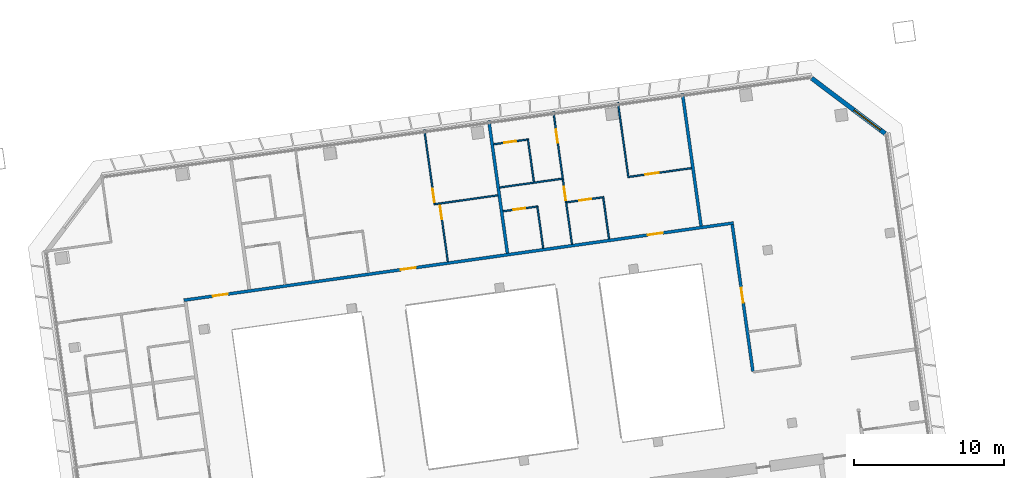
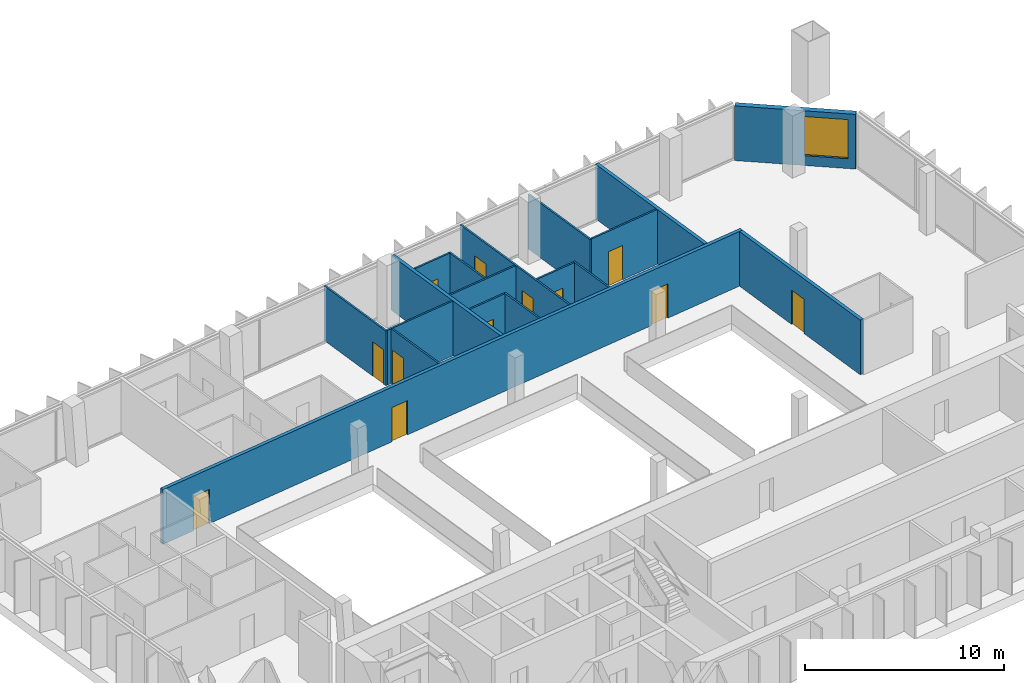
# One storey, part 20 of 23: 18 walls, 12 doors, 1 window, 13 openings.
"""IFC4 building model written with IfcOpenShell, lengths in metres."""

from ifc_helpers import new_model, si_unit, direction, frame, frame_2d, origin, place, context, subcontext, project, spatial, rectangle, extrude, material, layer, layer_set, type_object, element, fill, save


model = new_model("IFC4")

# Units and contexts
model_context = context("Model", 3, precision=1e-05, world=origin(), true_north=direction((0.0, 1.0)))
body_context = subcontext(model_context, "Body", "Model", "MODEL_VIEW")
ifc_project = project(units=[si_unit("LENGTHUNIT", "METRE"), si_unit("AREAUNIT", "SQUARE_METRE"), si_unit("VOLUMEUNIT", "CUBIC_METRE"), si_unit("PLANEANGLEUNIT", "RADIAN"), si_unit("MASSUNIT", "GRAM", prefix="KILO")], contexts=[model_context])

# Site, building, storey
site_placement = place(None, origin())
site = spatial("IfcSite", under=ifc_project, at=site_placement, CompositionType="ELEMENT")
building_placement = place(site_placement, origin())
building = spatial("IfcBuilding", under=site, at=building_placement, Name="Mirante Cascada Hotel Towers", CompositionType="ELEMENT")
storey_placement = place(building_placement, frame((0.0, 0.0, 199.2)))
storey = spatial("IfcBuildingStorey", under=building, at=storey_placement, Name="L47", CompositionType="ELEMENT", Elevation=199.2)

# Wall, openings, doors
ifc_material_1 = material(Name="Fire-rated plasterboard on metal studs")
ifc_layer_1 = layer(ifc_material_1, 0.2)
ifc_layer_set_1 = layer_set([ifc_layer_1], Name="Compartment wall 200 EI 120")
wall_type_1 = type_object("IfcWallType", Name="Compartment wall 200 EI 120", PredefinedType="PARTITIONING", material=ifc_layer_set_1)
wall_1_placement = place(storey_placement, frame((34.6489, 8.7516, 0.0), z_axis=(0.0, 0.0, 1.0), x_axis=(0.990268, 0.1391734, 0.0)))
wall_1 = element("IfcWall", 1, at=wall_1_placement, inside=storey, type_object=wall_type_1, Name="Wall 2-L47-18", PredefinedType="PARTITIONING", context=body_context, shape_type="SweptSolid", body=[
    extrude(rectangle(XDim=36.9, YDim=0.2, at=frame_2d((18.45, 0.0))), origin(), (0.0, 0.0, 1.0), 3.35),
])
opening_1_placement = place(wall_1_placement, frame((1.9538, 0.0, 0.0)))
opening_1 = element("IfcOpeningElement", 2, at=opening_1_placement, cuts=wall_1, Name="Opening D2-L47-06", PredefinedType="OPENING", context=body_context, shape_type="SweptSolid", body=[
    extrude(rectangle(XDim=1.0, YDim=2.1, at=frame_2d((0.5, 1.05))), frame((0.0, 0.1, 0.0), z_axis=(0.0, -1.0, 0.0), x_axis=(1.0, 0.0, 0.0)), (0.0, 0.0, 1.0), 0.2),
])
opening_2_placement = place(wall_1_placement, frame((14.5726, 0.0, 0.0)))
opening_2 = element("IfcOpeningElement", 3, at=opening_2_placement, cuts=wall_1, Name="Opening D2-L47-07", PredefinedType="OPENING", context=body_context, shape_type="SweptSolid", body=[
    extrude(rectangle(XDim=1.0, YDim=2.1, at=frame_2d((0.5, 1.05))), frame((0.0, 0.1, 0.0), z_axis=(0.0, -1.0, 0.0), x_axis=(1.0, 0.0, 0.0)), (0.0, 0.0, 1.0), 0.2),
])
opening_3_placement = place(wall_1_placement, frame((31.1459, 0.0, 0.0)))
opening_3 = element("IfcOpeningElement", 4, at=opening_3_placement, cuts=wall_1, Name="Opening D2-L47-08", PredefinedType="OPENING", context=body_context, shape_type="SweptSolid", body=[
    extrude(rectangle(XDim=1.0, YDim=2.1, at=frame_2d((0.5, 1.05))), frame((0.0, 0.1, 0.0), z_axis=(0.0, -1.0, 0.0), x_axis=(1.0, 0.0, 0.0)), (0.0, 0.0, 1.0), 0.2),
])
ifc_material_2 = material(Name="Fire-rated timber door leaf", Category="wood")
door_type_1 = type_object("IfcDoorType", Name="Entrance door DG1 1000x2100 EI 60", OperationType="SINGLE_SWING_LEFT", PredefinedType="DOOR", material=ifc_material_2)
door_1_placement = place(opening_1_placement, origin())
door_1 = element("IfcDoor", 5, at=door_1_placement, inside=storey, type_object=door_type_1, Name="Door D2-L47-06", OperationType="SINGLE_SWING_LEFT", OverallHeight=2.1, OverallWidth=1.0, PredefinedType="DOOR", context=body_context, shape_type="SweptSolid", body=[
    extrude(rectangle(XDim=1.0, YDim=2.1, at=frame_2d((0.5, 1.05))), frame((0.0, 0.025, 0.0), z_axis=(0.0, -1.0, 0.0), x_axis=(1.0, 0.0, 0.0)), (0.0, 0.0, 1.0), 0.05),
])
fill(opening_1, door_1)
door_2_placement = place(opening_2_placement, origin())
door_2 = element("IfcDoor", 6, at=door_2_placement, inside=storey, type_object=door_type_1, Name="Door D2-L47-07", OperationType="SINGLE_SWING_LEFT", OverallHeight=2.1, OverallWidth=1.0, PredefinedType="DOOR", context=body_context, shape_type="SweptSolid", body=[
    extrude(rectangle(XDim=1.0, YDim=2.1, at=frame_2d((0.5, 1.05))), frame((0.0, 0.025, 0.0), z_axis=(0.0, -1.0, 0.0), x_axis=(1.0, 0.0, 0.0)), (0.0, 0.0, 1.0), 0.05),
])
fill(opening_2, door_2)
door_3_placement = place(opening_3_placement, origin())
door_3 = element("IfcDoor", 7, at=door_3_placement, inside=storey, type_object=door_type_1, Name="Door D2-L47-08", OperationType="SINGLE_SWING_LEFT", OverallHeight=2.1, OverallWidth=1.0, PredefinedType="DOOR", context=body_context, shape_type="SweptSolid", body=[
    extrude(rectangle(XDim=1.0, YDim=2.1, at=frame_2d((0.5, 1.05))), frame((0.0, 0.025, 0.0), z_axis=(0.0, -1.0, 0.0), x_axis=(1.0, 0.0, 0.0)), (0.0, 0.0, 1.0), 0.05),
])
fill(opening_3, door_3)

# Walls
for number, where, z_axis, x_axis, name in (
    (8, (56.1609, 11.8759, 0.0), (0.0, 0.0, 1.0), (-0.1391684, 0.9902687, 0.0), "Wall 2-L47-46"),
    (9, (69.0319, 13.6848, 0.0), (0.0, 0.0, 1.0), (-0.1391684, 0.9902687, 0.0), "Wall 2-L47-52"),
):
    element("IfcWall", number, at=place(storey_placement, frame(where, z_axis=z_axis, x_axis=x_axis)), inside=storey, type_object=wall_type_1, Name=name, PredefinedType="PARTITIONING", context=body_context, shape_type="SweptSolid", body=[
        extrude(rectangle(XDim=8.9, YDim=0.2, at=frame_2d((4.45, 0.0))), origin(), (0.0, 0.0, 1.0), 3.35),
    ])

# Wall, opening, door
wall_2_placement = place(storey_placement, frame((71.1047, 13.7742, 0.0), z_axis=(0.0, 0.0, 1.0), x_axis=(0.1391668, -0.990269, 0.0)))
wall_2 = element("IfcWall", 10, at=wall_2_placement, inside=storey, type_object=wall_type_1, Name="Wall 2-L47-53", PredefinedType="PARTITIONING", context=body_context, shape_type="SweptSolid", body=[
    extrude(rectangle(XDim=9.8501, YDim=0.2, at=frame_2d((4.925, 0.0))), origin(), (0.0, 0.0, 1.0), 3.35),
])
opening_4_placement = place(wall_2_placement, frame((4.25, 0.0, 0.0)))
opening_4 = element("IfcOpeningElement", 11, at=opening_4_placement, cuts=wall_2, Name="Opening D2-L47-31", PredefinedType="OPENING", context=body_context, shape_type="SweptSolid", body=[
    extrude(rectangle(XDim=1.0, YDim=2.1, at=frame_2d((0.5, 1.05))), frame((0.0, 0.1, 0.0), z_axis=(0.0, -1.0, 0.0), x_axis=(1.0, 0.0, 0.0)), (0.0, 0.0, 1.0), 0.2),
])
door_4_placement = place(opening_4_placement, origin())
door_4 = element("IfcDoor", 12, at=door_4_placement, inside=storey, type_object=door_type_1, Name="Door D2-L47-31", OperationType="SINGLE_SWING_LEFT", OverallHeight=2.1, OverallWidth=1.0, PredefinedType="DOOR", context=body_context, shape_type="SweptSolid", body=[
    extrude(rectangle(XDim=1.0, YDim=2.1, at=frame_2d((0.5, 1.05))), frame((0.0, 0.025, 0.0), z_axis=(0.0, -1.0, 0.0), x_axis=(1.0, 0.0, 0.0)), (0.0, 0.0, 1.0), 0.05),
])
fill(opening_4, door_4)

ifc_material_3 = material(Name="Plasterboard on metal studs")
ifc_layer_2 = layer(ifc_material_3, 0.1)
ifc_layer_set_2 = layer_set([ifc_layer_2], Name="Partition 100")
wall_type_2 = type_object("IfcWallType", Name="Partition 100", PredefinedType="PARTITIONING", material=ifc_layer_set_2)
wall_3_placement = place(storey_placement, frame((58.0984, 14.9757, 0.0), z_axis=(0.0, 0.0, 1.0), x_axis=(-0.9902705, -0.1391561, 0.0)))
wall_3 = element("IfcWall", 13, at=wall_3_placement, inside=storey, type_object=wall_type_2, Name="Wall 2-L47-21", PredefinedType="PARTITIONING", context=body_context, shape_type="SweptSolid", body=[
    extrude(rectangle(XDim=2.25, YDim=0.1, at=frame_2d((1.125, 0.0))), origin(), (0.0, 0.0, 1.0), 3.35),
])
opening_5_placement = place(wall_3_placement, frame((0.75, 0.0, 0.0)))
opening_5 = element("IfcOpeningElement", 14, at=opening_5_placement, cuts=wall_3, Name="Opening D2-L47-11", PredefinedType="OPENING", context=body_context, shape_type="SweptSolid", body=[
    extrude(rectangle(XDim=0.8, YDim=2.1, at=frame_2d((0.4, 1.05))), frame((0.0, 0.05, 0.0), z_axis=(0.0, -1.0, 0.0), x_axis=(1.0, 0.0, 0.0)), (0.0, 0.0, 1.0), 0.1),
])
ifc_material_4 = material(Name="Timber door leaf", Category="wood")
door_type_2 = type_object("IfcDoorType", Name="Bathroom door DG4 800x2100", OperationType="SINGLE_SWING_LEFT", PredefinedType="DOOR", material=ifc_material_4)
door_5_placement = place(opening_5_placement, origin())
door_5 = element("IfcDoor", 15, at=door_5_placement, inside=storey, type_object=door_type_2, Name="Door D2-L47-11", OperationType="SINGLE_SWING_LEFT", OverallHeight=2.1, OverallWidth=0.8, PredefinedType="DOOR", context=body_context, shape_type="SweptSolid", body=[
    extrude(rectangle(XDim=0.8, YDim=2.1, at=frame_2d((0.4, 1.05))), frame((0.0, 0.025, 0.0), z_axis=(0.0, -1.0, 0.0), x_axis=(1.0, 0.0, 0.0)), (0.0, 0.0, 1.0), 0.05),
])
fill(opening_5, door_5)

wall_4_placement = place(storey_placement, frame((60.1111, 15.2586, 0.0), z_axis=(0.0, 0.0, 1.0), x_axis=(0.9902662, 0.1391861, 0.0)))
wall_4 = element("IfcWall", 16, at=wall_4_placement, inside=storey, type_object=wall_type_2, Name="Wall 2-L47-22", PredefinedType="PARTITIONING", context=body_context, shape_type="SweptSolid", body=[
    extrude(rectangle(XDim=2.3867, YDim=0.1, at=frame_2d((1.1934, 0.0))), origin(), (0.0, 0.0, 1.0), 3.35),
])
opening_6_placement = place(wall_4_placement, frame((0.8367, 0.0, 0.0)))
opening_6 = element("IfcOpeningElement", 17, at=opening_6_placement, cuts=wall_4, Name="Opening D2-L47-12", PredefinedType="OPENING", context=body_context, shape_type="SweptSolid", body=[
    extrude(rectangle(XDim=0.8, YDim=2.1, at=frame_2d((0.4, 1.05))), frame((0.0, 0.05, 0.0), z_axis=(0.0, -1.0, 0.0), x_axis=(1.0, 0.0, 0.0)), (0.0, 0.0, 1.0), 0.1),
])
door_6_placement = place(opening_6_placement, origin())
door_6 = element("IfcDoor", 18, at=door_6_placement, inside=storey, type_object=door_type_2, Name="Door D2-L47-12", OperationType="SINGLE_SWING_LEFT", OverallHeight=2.1, OverallWidth=0.8, PredefinedType="DOOR", context=body_context, shape_type="SweptSolid", body=[
    extrude(rectangle(XDim=0.8, YDim=2.1, at=frame_2d((0.4, 1.05))), frame((0.0, 0.025, 0.0), z_axis=(0.0, -1.0, 0.0), x_axis=(1.0, 0.0, 0.0)), (0.0, 0.0, 1.0), 0.05),
])
fill(opening_6, door_6)

# Wall
wall_5_placement = place(storey_placement, frame((55.5191, 15.7241, 0.0), z_axis=(0.0, 0.0, 1.0), x_axis=(-0.9902673, -0.1391783, 0.0)))
element("IfcWall", 19, at=wall_5_placement, inside=storey, type_object=wall_type_2, Name="Wall 2-L47-23", PredefinedType="PARTITIONING", context=body_context, shape_type="SweptSolid", body=[
    extrude(rectangle(XDim=4.1824, YDim=0.1, at=frame_2d((2.0912, 0.0))), origin(), (0.0, 0.0, 1.0), 3.35),
])

# Wall, opening, door
wall_6_placement = place(storey_placement, frame((64.2484, 16.9509, 0.0), z_axis=(0.0, 0.0, 1.0), x_axis=(0.9902673, 0.1391783, 0.0)))
wall_6 = element("IfcWall", 20, at=wall_6_placement, inside=storey, type_object=wall_type_2, Name="Wall 2-L47-24", PredefinedType="PARTITIONING", context=body_context, shape_type="SweptSolid", body=[
    extrude(rectangle(XDim=4.1824, YDim=0.1, at=frame_2d((2.0912, 0.0))), origin(), (0.0, 0.0, 1.0), 3.35),
])
opening_7_placement = place(wall_6_placement, frame((1.0825, 0.0, 0.0)))
opening_7 = element("IfcOpeningElement", 21, at=opening_7_placement, cuts=wall_6, Name="Opening D2-L47-13", PredefinedType="OPENING", context=body_context, shape_type="SweptSolid", body=[
    extrude(rectangle(XDim=0.9, YDim=2.1, at=frame_2d((0.45, 1.05))), frame((0.0, 0.05, 0.0), z_axis=(0.0, -1.0, 0.0), x_axis=(1.0, 0.0, 0.0)), (0.0, 0.0, 1.0), 0.1),
])
ifc_material_5 = material(Name="Timber door leaf", Category="wood")
door_type_3 = type_object("IfcDoorType", Name="Room door DG3 900x2100", OperationType="SINGLE_SWING_LEFT", PredefinedType="DOOR", material=ifc_material_5)
door_7_placement = place(opening_7_placement, origin())
door_7 = element("IfcDoor", 22, at=door_7_placement, inside=storey, type_object=door_type_3, Name="Door D2-L47-13", OperationType="SINGLE_SWING_LEFT", OverallHeight=2.1, OverallWidth=0.9, PredefinedType="DOOR", context=body_context, shape_type="SweptSolid", body=[
    extrude(rectangle(XDim=0.9, YDim=2.1, at=frame_2d((0.45, 1.05))), frame((0.0, 0.025, 0.0), z_axis=(0.0, -1.0, 0.0), x_axis=(1.0, 0.0, 0.0)), (0.0, 0.0, 1.0), 0.05),
])
fill(opening_7, door_7)

# Wall
wall_7_placement = place(storey_placement, frame((59.7894, 16.8291, 0.0), z_axis=(0.0, 0.0, 1.0), x_axis=(-0.9902678, -0.139175, 0.0)))
element("IfcWall", 23, at=wall_7_placement, inside=storey, type_object=wall_type_2, Name="Wall 2-L47-27", PredefinedType="PARTITIONING", context=body_context, shape_type="SweptSolid", body=[
    extrude(rectangle(XDim=4.1825, YDim=0.1, at=frame_2d((2.0912, 0.0))), origin(), (0.0, 0.0, 1.0), 3.35),
])

# Wall, opening, door
wall_8_placement = place(storey_placement, frame((57.4721, 19.432, 0.0), z_axis=(0.0, 0.0, 1.0), x_axis=(-0.9902643, -0.1391997, 0.0)))
wall_8 = element("IfcWall", 24, at=wall_8_placement, inside=storey, type_object=wall_type_2, Name="Wall 2-L47-29", PredefinedType="PARTITIONING", context=body_context, shape_type="SweptSolid", body=[
    extrude(rectangle(XDim=2.25, YDim=0.1, at=frame_2d((1.125, 0.0))), origin(), (0.0, 0.0, 1.0), 3.35),
])
opening_8_placement = place(wall_8_placement, frame((0.75, 0.0, 0.0)))
opening_8 = element("IfcOpeningElement", 25, at=opening_8_placement, cuts=wall_8, Name="Opening D2-L47-15", PredefinedType="OPENING", context=body_context, shape_type="SweptSolid", body=[
    extrude(rectangle(XDim=0.8, YDim=2.1, at=frame_2d((0.4, 1.05))), frame((0.0, 0.05, 0.0), z_axis=(0.0, -1.0, 0.0), x_axis=(1.0, 0.0, 0.0)), (0.0, 0.0, 1.0), 0.1),
])
door_8_placement = place(opening_8_placement, origin())
door_8 = element("IfcDoor", 26, at=door_8_placement, inside=storey, type_object=door_type_2, Name="Door D2-L47-15", OperationType="SINGLE_SWING_LEFT", OverallHeight=2.1, OverallWidth=0.8, PredefinedType="DOOR", context=body_context, shape_type="SweptSolid", body=[
    extrude(rectangle(XDim=0.8, YDim=2.1, at=frame_2d((0.4, 1.05))), frame((0.0, 0.025, 0.0), z_axis=(0.0, -1.0, 0.0), x_axis=(1.0, 0.0, 0.0)), (0.0, 0.0, 1.0), 0.05),
])
fill(opening_8, door_8)

wall_9_placement = place(storey_placement, frame((51.3349, 15.0855, 0.0), z_axis=(0.0, 0.0, 1.0), x_axis=(-0.1391671, 0.9902689, 0.0)))
wall_9 = element("IfcWall", 27, at=wall_9_placement, inside=storey, type_object=wall_type_2, Name="Wall 2-L47-44", PredefinedType="PARTITIONING", context=body_context, shape_type="SweptSolid", body=[
    extrude(rectangle(XDim=5.05, YDim=0.1, at=frame_2d((2.525, 0.0))), origin(), (0.0, 0.0, 1.0), 3.35),
])
opening_9_placement = place(wall_9_placement, frame((0.2, 0.0, 0.0)))
opening_9 = element("IfcOpeningElement", 28, at=opening_9_placement, cuts=wall_9, Name="Opening D2-L47-27", PredefinedType="OPENING", context=body_context, shape_type="SweptSolid", body=[
    extrude(rectangle(XDim=0.9, YDim=2.1, at=frame_2d((0.45, 1.05))), frame((0.0, 0.05, 0.0), z_axis=(0.0, -1.0, 0.0), x_axis=(1.0, 0.0, 0.0)), (0.0, 0.0, 1.0), 0.1),
])
door_9_placement = place(opening_9_placement, origin())
door_9 = element("IfcDoor", 29, at=door_9_placement, inside=storey, type_object=door_type_3, Name="Door D2-L47-27", OperationType="SINGLE_SWING_LEFT", OverallHeight=2.1, OverallWidth=0.9, PredefinedType="DOOR", context=body_context, shape_type="SweptSolid", body=[
    extrude(rectangle(XDim=0.9, YDim=2.1, at=frame_2d((0.45, 1.05))), frame((0.0, 0.025, 0.0), z_axis=(0.0, -1.0, 0.0), x_axis=(1.0, 0.0, 0.0)), (0.0, 0.0, 1.0), 0.05),
])
fill(opening_9, door_9)

wall_10_placement = place(storey_placement, frame((51.6641, 15.1318, 0.0), z_axis=(0.0, 0.0, 1.0), x_axis=(0.1391665, -0.990269, 0.0)))
wall_10 = element("IfcWall", 30, at=wall_10_placement, inside=storey, type_object=wall_type_2, Name="Wall 2-L47-45", PredefinedType="PARTITIONING", context=body_context, shape_type="SweptSolid", body=[
    extrude(rectangle(XDim=3.8501, YDim=0.1, at=frame_2d((1.925, 0.0))), origin(), (0.0, 0.0, 1.0), 3.35),
])
opening_10_placement = place(wall_10_placement, frame((0.1, 0.0, 0.0)))
opening_10 = element("IfcOpeningElement", 31, at=opening_10_placement, cuts=wall_10, Name="Opening D2-L47-28", PredefinedType="OPENING", context=body_context, shape_type="SweptSolid", body=[
    extrude(rectangle(XDim=0.9, YDim=2.1, at=frame_2d((0.45, 1.05))), frame((0.0, 0.05, 0.0), z_axis=(0.0, -1.0, 0.0), x_axis=(1.0, 0.0, 0.0)), (0.0, 0.0, 1.0), 0.1),
])
door_10_placement = place(opening_10_placement, frame((0.9, 0.0, 0.0), z_axis=(0.0, 0.0, 1.0), x_axis=(-1.0, 0.0, 0.0)))
door_10 = element("IfcDoor", 32, at=door_10_placement, inside=storey, type_object=door_type_3, Name="Door D2-L47-28", OperationType="SINGLE_SWING_RIGHT", OverallHeight=2.1, OverallWidth=0.9, PredefinedType="DOOR", context=body_context, shape_type="SweptSolid", body=[
    extrude(rectangle(XDim=0.9, YDim=2.1, at=frame_2d((0.45, 1.05))), frame((0.0, 0.025, 0.0), z_axis=(0.0, -1.0, 0.0), x_axis=(1.0, 0.0, 0.0)), (0.0, 0.0, 1.0), 0.05),
])
fill(opening_10, door_10)

# Walls
wall_11_placement = place(storey_placement, frame((58.1409, 15.0322, 0.0), z_axis=(0.0, 0.0, 1.0), x_axis=(0.1391957, -0.9902649, 0.0)))
element("IfcWall", 33, at=wall_11_placement, inside=storey, type_object=wall_type_2, Name="Wall 2-L47-47", PredefinedType="PARTITIONING", context=body_context, shape_type="SweptSolid", body=[
    extrude(rectangle(XDim=2.8499, YDim=0.1, at=frame_2d((1.425, 0.0))), origin(), (0.0, 0.0, 1.0), 3.35),
])
wall_12_placement = place(storey_placement, frame((57.9183, 16.6166, 0.0), z_axis=(0.0, 0.0, 1.0), x_axis=(-0.1391714, 0.9902683, 0.0)))
element("IfcWall", 34, at=wall_12_placement, inside=storey, type_object=wall_type_2, Name="Wall 2-L47-48", PredefinedType="PARTITIONING", context=body_context, shape_type="SweptSolid", body=[
    extrude(rectangle(XDim=2.9, YDim=0.1, at=frame_2d((1.45, 0.0))), origin(), (0.0, 0.0, 1.0), 3.35),
])

# Wall, openings, doors
wall_13_placement = place(storey_placement, frame((59.2126, 21.2923, 0.0), z_axis=(0.0, 0.0, 1.0), x_axis=(0.1391794, -0.9902672, 0.0)))
wall_13 = element("IfcWall", 35, at=wall_13_placement, inside=storey, type_object=wall_type_2, Name="Wall 2-L47-49", PredefinedType="PARTITIONING", context=body_context, shape_type="SweptSolid", body=[
    extrude(rectangle(XDim=8.9, YDim=0.1, at=frame_2d((4.45, 0.0))), origin(), (0.0, 0.0, 1.0), 3.35),
])
opening_11_placement = place(wall_13_placement, frame((5.05, 0.0, 0.0)))
opening_11 = element("IfcOpeningElement", 36, at=opening_11_placement, cuts=wall_13, Name="Opening D2-L47-29", PredefinedType="OPENING", context=body_context, shape_type="SweptSolid", body=[
    extrude(rectangle(XDim=0.9, YDim=2.1, at=frame_2d((0.45, 1.05))), frame((0.0, 0.05, 0.0), z_axis=(0.0, -1.0, 0.0), x_axis=(1.0, 0.0, 0.0)), (0.0, 0.0, 1.0), 0.1),
])
opening_12_placement = place(wall_13_placement, frame((1.2, 0.0, 0.0)))
opening_12 = element("IfcOpeningElement", 37, at=opening_12_placement, cuts=wall_13, Name="Opening D2-L47-30", PredefinedType="OPENING", context=body_context, shape_type="SweptSolid", body=[
    extrude(rectangle(XDim=0.9, YDim=2.1, at=frame_2d((0.45, 1.05))), frame((0.0, 0.05, 0.0), z_axis=(0.0, -1.0, 0.0), x_axis=(1.0, 0.0, 0.0)), (0.0, 0.0, 1.0), 0.1),
])
door_11_placement = place(opening_11_placement, origin())
door_11 = element("IfcDoor", 38, at=door_11_placement, inside=storey, type_object=door_type_3, Name="Door D2-L47-29", OperationType="SINGLE_SWING_LEFT", OverallHeight=2.1, OverallWidth=0.9, PredefinedType="DOOR", context=body_context, shape_type="SweptSolid", body=[
    extrude(rectangle(XDim=0.9, YDim=2.1, at=frame_2d((0.45, 1.05))), frame((0.0, 0.025, 0.0), z_axis=(0.0, -1.0, 0.0), x_axis=(1.0, 0.0, 0.0)), (0.0, 0.0, 1.0), 0.05),
])
fill(opening_11, door_11)
door_12_placement = place(opening_12_placement, origin())
door_12 = element("IfcDoor", 39, at=door_12_placement, inside=storey, type_object=door_type_3, Name="Door D2-L47-30", OperationType="SINGLE_SWING_LEFT", OverallHeight=2.1, OverallWidth=0.9, PredefinedType="DOOR", context=body_context, shape_type="SweptSolid", body=[
    extrude(rectangle(XDim=0.9, YDim=2.1, at=frame_2d((0.45, 1.05))), frame((0.0, 0.025, 0.0), z_axis=(0.0, -1.0, 0.0), x_axis=(1.0, 0.0, 0.0)), (0.0, 0.0, 1.0), 0.05),
])
fill(opening_12, door_12)

# Walls
wall_14_placement = place(storey_placement, frame((62.9138, 12.825, 0.0), z_axis=(0.0, 0.0, 1.0), x_axis=(-0.1391909, 0.9902656, 0.0)))
element("IfcWall", 40, at=wall_14_placement, inside=storey, type_object=wall_type_2, Name="Wall 2-L47-50", PredefinedType="PARTITIONING", context=body_context, shape_type="SweptSolid", body=[
    extrude(rectangle(XDim=2.85, YDim=0.1, at=frame_2d((1.425, 0.0))), origin(), (0.0, 0.0, 1.0), 3.35),
])
wall_15_placement = place(storey_placement, frame((63.503, 21.8953, 0.0), z_axis=(0.0, 0.0, 1.0), x_axis=(0.1391671, -0.9902689, 0.0)))
element("IfcWall", 41, at=wall_15_placement, inside=storey, type_object=wall_type_2, Name="Wall 2-L47-51", PredefinedType="PARTITIONING", context=body_context, shape_type="SweptSolid", body=[
    extrude(rectangle(XDim=5.05, YDim=0.1, at=frame_2d((2.525, 0.0))), origin(), (0.0, 0.0, 1.0), 3.35),
])

# Wall, opening, window
ifc_material_6 = material(Name="Precast concrete C40/50", Category="concrete")
ifc_layer_3 = layer(ifc_material_6, 0.3)
ifc_layer_set_3 = layer_set([ifc_layer_3], Name="Precast concrete C40/50 cladding wall 300")
wall_type_3 = type_object("IfcWallType", Name="Precast concrete C40/50 cladding wall 300", PredefinedType="STANDARD", material=ifc_layer_set_3)
wall_16_placement = place(storey_placement, frame((81.2671, 19.8291, 0.0), z_axis=(0.0, 0.0, 1.0), x_axis=(-0.7986343, 0.6018167, 0.0)))
wall_16 = element("IfcWall", 42, at=wall_16_placement, inside=storey, type_object=wall_type_3, Name="Corner cladding wall T2 L47 outer front", PredefinedType="STANDARD", context=body_context, shape_type="SweptSolid", body=[
    extrude(rectangle(XDim=6.1158, YDim=0.3, at=frame_2d((3.0579, 0.0))), origin(), (0.0, 0.0, 1.0), 3.35),
])
opening_13_placement = place(wall_16_placement, frame((0.3914, 0.0, 0.6)))
opening_13 = element("IfcOpeningElement", 43, at=opening_13_placement, cuts=wall_16, Name="Opening W2-47-02", PredefinedType="OPENING", context=body_context, shape_type="SweptSolid", body=[
    extrude(rectangle(XDim=2.2, YDim=2.4, at=frame_2d((1.1, 1.2))), frame((0.0, 0.15, 0.0), z_axis=(0.0, -1.0, 0.0), x_axis=(1.0, 0.0, 0.0)), (0.0, 0.0, 1.0), 0.3),
])
ifc_material_7 = material(Name="Aluminium frame with clear double glazing", Category="aluminium")
window_type = type_object("IfcWindowType", Name="Corner suite window 2200x2400", PartitioningType="DOUBLE_PANEL_VERTICAL", PredefinedType="WINDOW", material=ifc_material_7)
window_placement = place(opening_13_placement, origin())
window = element("IfcWindow", 44, at=window_placement, inside=storey, type_object=window_type, Name="Window W2-47-02", OverallHeight=2.4, OverallWidth=2.2, PartitioningType="SINGLE_PANEL", PredefinedType="WINDOW", context=body_context, shape_type="SweptSolid", body=[
    extrude(rectangle(XDim=2.2, YDim=2.4, at=frame_2d((1.1, 1.2))), frame((0.0, 0.03, 0.0), z_axis=(0.0, -1.0, 0.0), x_axis=(1.0, 0.0, 0.0)), (0.0, 0.0, 1.0), 0.06),
])
fill(opening_13, window)

save(model, "model.ifc")
